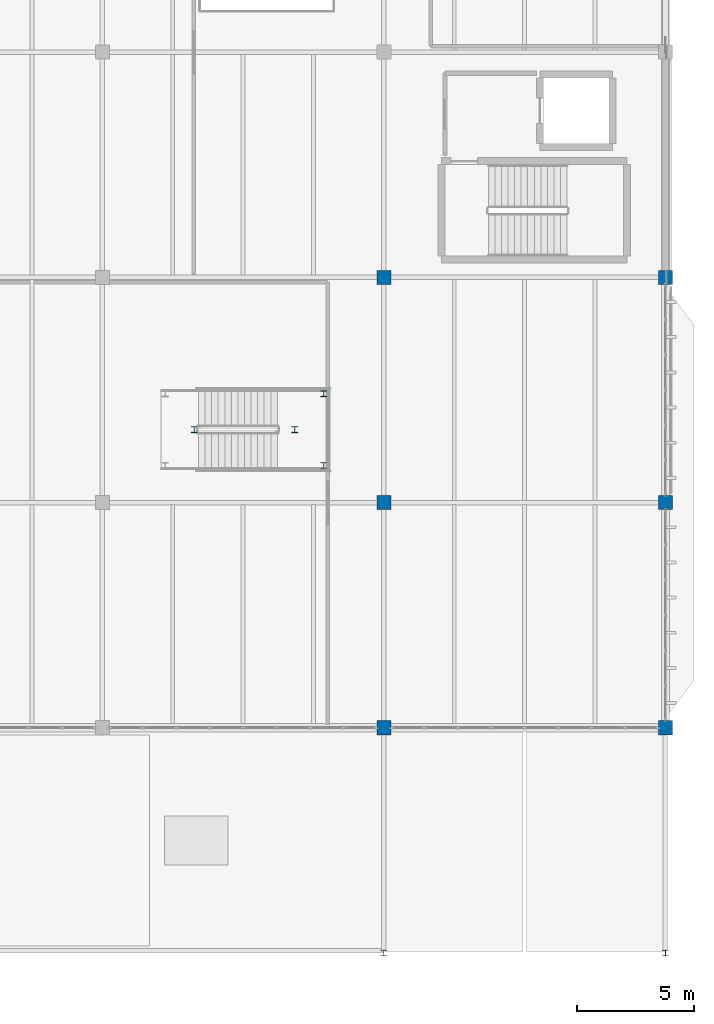
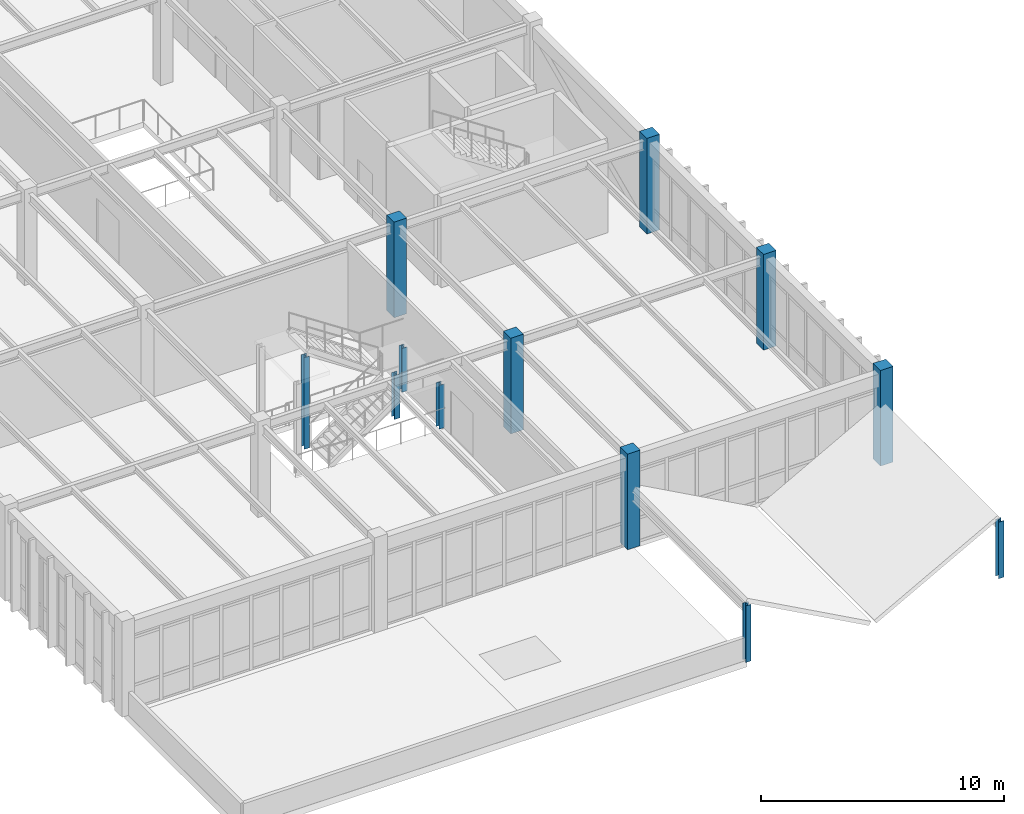
# One storey, part 5 of 236: 12 columns.
"""IFC4 building model written with IfcOpenShell, lengths in metres."""

from ifc_helpers import new_model, si_unit, direction, frame, origin, origin_2d, place, context, subcontext, project, spatial, rectangle, i_section, extrude, material, material_profile, profile_set, type_object, element, save


model = new_model("IFC4")

# Units and contexts
model_context = context("Model", 3, precision=1e-05, world=origin(), true_north=direction((0.0, 1.0)))
body_context = subcontext(model_context, "Body", "Model", "MODEL_VIEW")
ifc_project = project(units=[si_unit("LENGTHUNIT", "METRE"), si_unit("AREAUNIT", "SQUARE_METRE"), si_unit("VOLUMEUNIT", "CUBIC_METRE"), si_unit("PLANEANGLEUNIT", "RADIAN"), si_unit("MASSUNIT", "GRAM", prefix="KILO")], contexts=[model_context])

# Site, building, storey
site_placement = place(None, origin())
site = spatial("IfcSite", under=ifc_project, at=site_placement, CompositionType="ELEMENT")
building_placement = place(site_placement, origin())
building = spatial("IfcBuilding", under=site, at=building_placement, Name="Pandanus Reach Market Hall", CompositionType="ELEMENT")
storey_placement = place(building_placement, frame((0.0, 0.0, 5.39990234375)))
storey = spatial("IfcBuildingStorey", under=building, at=storey_placement, Name="L01", CompositionType="ELEMENT", Elevation=5.39990234375)

# Columns
ifc_material_1 = material(Name="Concrete N40 (40 MPa)", Category="concrete")
ifc_material_profile_1 = material_profile(ifc_material_1, rectangle(XDim=0.60009765625, YDim=0.60009765625, at=origin_2d()), Name="RC600x600", Category="LoadBearing")
ifc_profile_set_1 = profile_set([ifc_material_profile_1], Name="Concrete N40 (40 MPa)")
column_type_1 = type_object("IfcColumnType", Name="CL-RC600-E", PredefinedType="COLUMN", material=ifc_profile_set_1)
for number, where, z_axis, x_axis, name in (
    (1, (180.0, 9.60009765625, 0.0), (0.0, 0.0, 1.0), (1.0, 0.0, 0.0), "Column CL-RC600-E V4-180-96 L01"),
    (2, (180.0, 19.199951171875, 0.0), (0.0, 0.0, 1.0), (1.0, 0.0, 0.0), "Column CL-RC600-E V4-180-192 L01"),
    (3, (180.0, 28.800048828125, 0.0), (0.0, 0.0, 1.0), (1.0, 0.0, 0.0), "Column CL-RC600-E V4-180-288 L01"),
):
    element("IfcColumn", number, at=place(storey_placement, frame(where, z_axis=z_axis, x_axis=x_axis)), inside=storey, type_object=column_type_1, Name=name, PredefinedType="COLUMN", context=body_context, shape_type="SweptSolid", body=[
        extrude(rectangle(XDim=0.60009765625, YDim=0.60009765625, at=origin_2d()), origin(), (0.0, 0.0, 1.0), 4.800048828125),
    ])
ifc_material_profile_2 = material_profile(ifc_material_1, rectangle(XDim=0.60009765625, YDim=0.60009765625, at=origin_2d()), Name="RC600x600", Category="LoadBearing")
ifc_profile_set_2 = profile_set([ifc_material_profile_2], Name="Concrete N40 (40 MPa)")
column_type_2 = type_object("IfcColumnType", Name="CL-RC600-I", PredefinedType="COLUMN", material=ifc_profile_set_2)
for number, where, z_axis, x_axis, name in (
    (4, (168.0, 9.60009765625, 0.0), (0.0, 0.0, 1.0), (1.0, 0.0, 0.0), "Column CL-RC600-I V4-168-96 L01"),
    (5, (168.0, 19.199951171875, 0.0), (0.0, 0.0, 1.0), (1.0, 0.0, 0.0), "Column CL-RC600-I V4-168-192 L01"),
    (6, (168.0, 28.800048828125, 0.0), (0.0, 0.0, 1.0), (1.0, 0.0, 0.0), "Column CL-RC600-I V4-168-288 L01"),
):
    element("IfcColumn", number, at=place(storey_placement, frame(where, z_axis=z_axis, x_axis=x_axis)), inside=storey, type_object=column_type_2, Name=name, PredefinedType="COLUMN", context=body_context, shape_type="SweptSolid", body=[
        extrude(rectangle(XDim=0.60009765625, YDim=0.60009765625, at=origin_2d()), origin(), (0.0, 0.0, 1.0), 4.800048828125),
    ])
ifc_material_2 = material(Name="Steel Grade 350 (350 MPa)", Category="steel")
ifc_material_profile_3 = material_profile(ifc_material_2, i_section(OverallWidth=0.25390625, OverallDepth=0.25390625, WebThickness=0.008544921875, FlangeThickness=0.01416015625, at=origin_2d()), Name="250UC72.9", Category="LoadBearing")
ifc_profile_set_3 = profile_set([ifc_material_profile_3], Name="Steel Grade 350 (350 MPa)")
column_type_3 = type_object("IfcColumnType", Name="CL-UC250-I", PredefinedType="COLUMN", material=ifc_profile_set_3)
for number, where, z_axis, x_axis, name in (
    (7, (168.0, 0.0, 0.0), (0.0, 0.0, 1.0), (1.0, 0.0, 0.0), "Butterfly shell ridge support post L01.41"),
    (8, (180.0, 0.0, 0.0), (0.0, 0.0, 1.0), (1.0, 0.0, 0.0), "Butterfly shell ridge support post L01.43"),
):
    element("IfcColumn", number, at=place(storey_placement, frame(where, z_axis=z_axis, x_axis=x_axis)), inside=storey, type_object=column_type_3, Name=name, PredefinedType="COLUMN", context=body_context, shape_type="SweptSolid", body=[
        extrude(i_section(OverallWidth=0.25390625, OverallDepth=0.25390625, WebThickness=0.008544921875, FlangeThickness=0.01416015625, at=origin_2d()), origin(), (0.0, 0.0, 1.0), 2.840087890625),
    ])
for number, where, z_axis, x_axis, name in (
    (9, (165.43994140625, 20.780029296875, 0.0), (0.0, 0.0, 1.0), (1.0, 0.0, 0.0), "Feature stair landing post ST-11.L01.1"),
    (10, (165.43994140625, 23.840087890625, 0.0), (0.0, 0.0, 1.0), (1.0, 0.0, 0.0), "Feature stair landing post ST-11.L01.2"),
    (11, (164.199951171875, 22.31005859375, 0.0), (0.0, 0.0, 1.0), (1.0, 0.0, 0.0), "Feature stair landing post ST-11.L01.3"),
):
    element("IfcColumn", number, at=place(storey_placement, frame(where, z_axis=z_axis, x_axis=x_axis)), inside=storey, type_object=column_type_3, Name=name, PredefinedType="COLUMN", context=body_context, shape_type="SweptSolid", body=[
        extrude(i_section(OverallWidth=0.25390625, OverallDepth=0.25390625, WebThickness=0.008544921875, FlangeThickness=0.01416015625, at=origin_2d()), origin(), (0.0, 0.0, 1.0), 2.2001953125),
    ])
column_placement = place(storey_placement, frame((159.919921875, 22.31005859375, 0.0), z_axis=(0.0, 0.0, 1.0), x_axis=(1.0, 0.0, 0.0)))
element("IfcColumn", 12, at=column_placement, inside=storey, type_object=column_type_3, Name="Feature stair landing post ST-11.L01.6", PredefinedType="COLUMN", context=body_context, shape_type="SweptSolid", body=[
    extrude(i_section(OverallWidth=0.25390625, OverallDepth=0.25390625, WebThickness=0.008544921875, FlangeThickness=0.01416015625, at=origin_2d()), origin(), (0.0, 0.0, 1.0), 4.60009765625),
])

save(model, "model.ifc")
